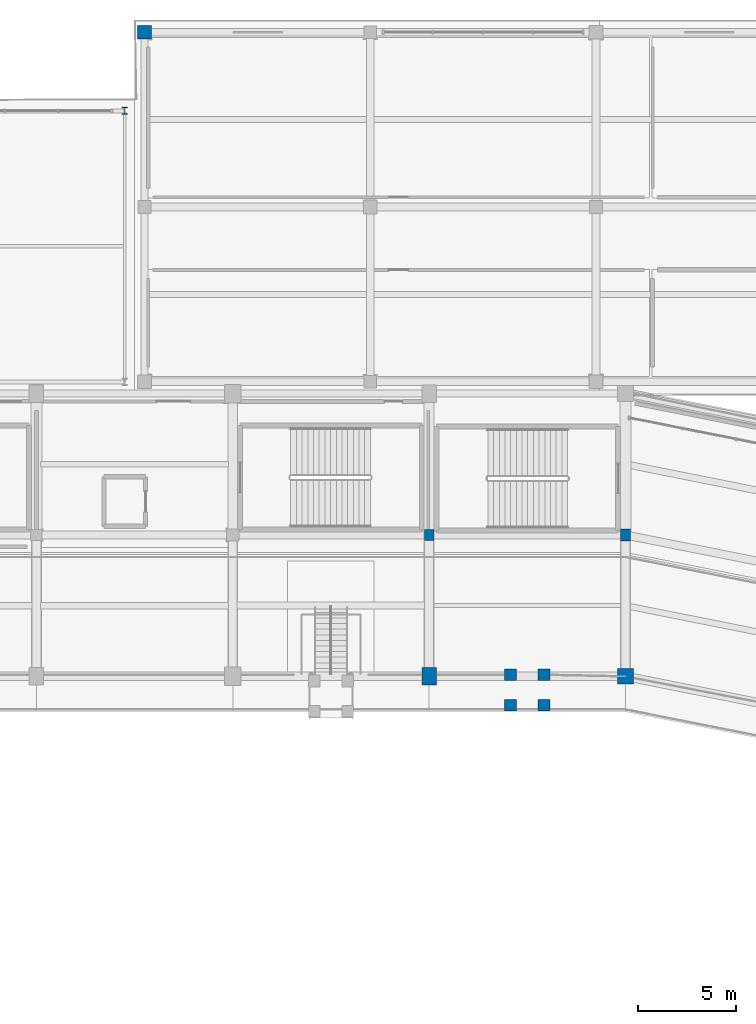
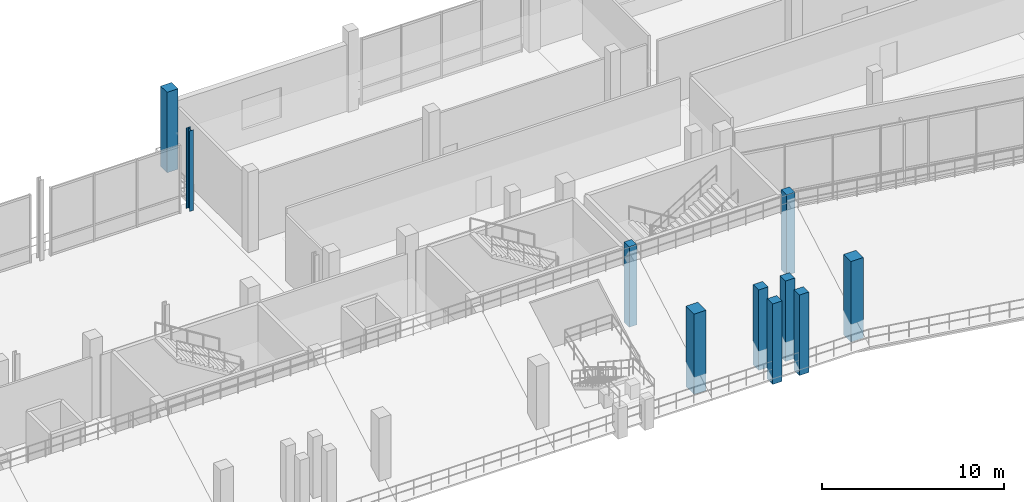
# One storey, part 9 of 127: 10 columns.
"""IFC4 building model written with IfcOpenShell, lengths in metres."""

import ifcopenshell
import ifcopenshell.guid

model = None  # the IFC model being written
_history = None  # IfcOwnerHistory: only IFC2X3 demands one
_inside = {}  # id of a spatial element -> (the spatial element, [elements in it])
_under = {}  # id of a project, library or spatial element -> (it, [spatial elements below it])
_declared = {}  # id of a project -> (the project, [libraries it declares])
_typed = {}  # id of a type object -> (the type object, [elements of that type])
_made_of = {}  # id of a material, layer set ... -> (it, [elements and type objects made of it])


def new_model(schema):
    """Start an empty IFC model of exactly this schema.

    Asked for "IFC4X3", IfcOpenShell would pick the latest addendum, in which some entities
    have other attributes; the version numbers below select the first issue.
    IFC2X3 requires an IfcOwnerHistory on every rooted entity: one is made here for all.
    """
    global model, _history
    if schema == "IFC4X3":
        model = ifcopenshell.file(schema_version=(4, 3, 0, 0))
    else:
        model = ifcopenshell.file(schema=schema)
    _inside.clear()
    _under.clear()
    _declared.clear()
    _typed.clear()
    _made_of.clear()
    _history = None
    if model.schema == "IFC2X3":
        org = make("IfcOrganization", Name="unknown")
        user = make(
            "IfcPersonAndOrganization",
            ThePerson=make("IfcPerson", FamilyName="unknown"),
            TheOrganization=org,
        )
        app = make(
            "IfcApplication",
            ApplicationDeveloper=org,
            Version="unknown",
            ApplicationFullName="unknown",
            ApplicationIdentifier="unknown",
        )
        _history = make(
            "IfcOwnerHistory",
            OwningUser=user,
            OwningApplication=app,
            ChangeAction="ADDED",
            CreationDate=0,
        )
    return model


def make(cls, **values):
    """One entity of the class cls with the attributes given. An attribute that is None is left unset."""
    return model.create_entity(
        cls, **{name: value for name, value in values.items() if value is not None}
    )


def rooted(cls, **values):
    """An entity with a GlobalId (a new one), such as an element, a storey or a relation."""
    return make(cls, GlobalId=ifcopenshell.guid.new(), OwnerHistory=_history, **values)


def si_unit(unit_type, name, prefix=None):
    """IfcSIUnit, for example si_unit("LENGTHUNIT", "METRE", prefix="MILLI")."""
    return make("IfcSIUnit", UnitType=unit_type, Prefix=prefix, Name=name)


def assignment(units):
    """IfcUnitAssignment: the units of a project."""
    return None if units is None else make("IfcUnitAssignment", Units=units)


def point(xyz):
    """IfcCartesianPoint."""
    return None if xyz is None else make("IfcCartesianPoint", Coordinates=xyz)


def direction(xyz):
    """IfcDirection."""
    return None if xyz is None else make("IfcDirection", DirectionRatios=xyz)


def frame(location, z_axis=None, x_axis=None):
    """IfcAxis2Placement3D, a coordinate frame: its origin and axes. An axis left out is left unset."""
    return make(
        "IfcAxis2Placement3D",
        Location=point(location),
        Axis=direction(z_axis),
        RefDirection=direction(x_axis),
    )


def frame_2d(location, x_axis=None):
    """IfcAxis2Placement2D, a coordinate frame in the plane: its origin and x axis."""
    return make(
        "IfcAxis2Placement2D", Location=point(location), RefDirection=direction(x_axis)
    )


def origin():
    """The frame at (0, 0, 0) with its axes left unset."""
    return frame((0.0, 0.0, 0.0))


def origin_2d():
    """The frame at (0, 0) in the plane with its x axis left unset."""
    return frame_2d((0.0, 0.0))


def place(relative_to, where):
    """IfcLocalPlacement: puts the frame where relative to a parent placement (None: the world)."""
    return make(
        "IfcLocalPlacement", PlacementRelTo=relative_to, RelativePlacement=where
    )


def context(
    kind, dimensions, precision=None, world=None, true_north=None, identifier=None
):
    """IfcGeometricRepresentationContext, for example the 3D "Model" context."""
    return make(
        "IfcGeometricRepresentationContext",
        ContextIdentifier=identifier,
        ContextType=kind,
        CoordinateSpaceDimension=dimensions,
        Precision=precision,
        WorldCoordinateSystem=world,
        TrueNorth=true_north,
    )


def subcontext(parent, identifier, kind, view, scale=None):
    """IfcGeometricRepresentationSubContext, for example "Body" below "Model"."""
    return make(
        "IfcGeometricRepresentationSubContext",
        ContextIdentifier=identifier,
        ContextType=kind,
        ParentContext=parent,
        TargetScale=scale,
        TargetView=view,
    )


def project(units=None, contexts=None):
    """IfcProject with its units and contexts."""
    return rooted(
        "IfcProject",
        Name="project",
        RepresentationContexts=contexts,
        UnitsInContext=assignment(units),
    )


def spatial(cls, under=None, at=None, **own):
    """A site, building, storey or space (cls), placed at a placement, below another one or the project."""
    s = rooted(cls, ObjectPlacement=at, **own)
    if under is not None:
        _under.setdefault(under.id(), (under, []))[1].append(s)
    return s


def profile(cls, at=None, kind="AREA", **sizes):
    """A parametric profile (cls). Its sizes go by their IFC names, for example OverallWidth=200.0."""
    return make(cls, ProfileType=kind, Position=at, **sizes)


def rectangle(**sizes):
    """IfcRectangleProfileDef."""
    return profile("IfcRectangleProfileDef", **sizes)


def i_section(**sizes):
    """IfcIShapeProfileDef."""
    return profile("IfcIShapeProfileDef", **sizes)


def extrude(swept, where, along, depth):
    """IfcExtrudedAreaSolid: the profile swept, set in the frame where, extruded along a direction by depth."""
    return make(
        "IfcExtrudedAreaSolid",
        SweptArea=swept,
        Position=where,
        ExtrudedDirection=direction(along),
        Depth=depth,
    )


def shape(context_of_items, identifier, shape_type, items):
    """IfcShapeRepresentation: the items that make up one representation, for example the "Body"."""
    return make(
        "IfcShapeRepresentation",
        ContextOfItems=context_of_items,
        RepresentationIdentifier=identifier,
        RepresentationType=shape_type,
        Items=items,
    )


def material(Name=None, Category=None):
    """IfcMaterial."""
    return make("IfcMaterial", Name=Name, Category=Category)


def material_profile(
    of_material, cross_section, Name=None, Category=None, Priority=None
):
    """IfcMaterialProfile: a cross section and its material."""
    return make(
        "IfcMaterialProfile",
        Name=Name,
        Material=of_material,
        Profile=cross_section,
        Priority=Priority,
        Category=Category,
    )


def profile_set(profiles, Name=None, composite=None):
    """IfcMaterialProfileSet."""
    return make(
        "IfcMaterialProfileSet",
        Name=Name,
        MaterialProfiles=profiles,
        CompositeProfile=composite,
    )


def made_of(thing, what):
    """Note that an element or type object is made of a material, layer set ...; save() writes the relation."""
    if what is not None:
        _made_of.setdefault(what.id(), (what, []))[1].append(thing)
    return thing


def type_object(cls, material=None, **own):
    """A type object (cls), such as IfcWallType, which elements share."""
    return made_of(rooted(cls, **own), material)


def element(
    cls,
    number,
    at=None,
    inside=None,
    cuts=None,
    type_object=None,
    material=None,
    context=None,
    identifier="Body",
    shape_type=None,
    held_by="IfcProductDefinitionShape",
    body=None,
    shapes=None,
    **own,
):
    """One element of the class cls, such as IfcWall. Its Tag is "e" and its number.

    at: its placement. inside: the storey or other place that contains it. cuts: it is an
    opening in that element (IfcRelVoidsElement). A single representation is given by context,
    identifier, shape_type and body (its items); several are given by shapes. held_by: the class
    of the entity that holds the representations. save() writes the other relations.
    """
    e = rooted(cls, Tag="e%d" % number, ObjectPlacement=at, **own)
    if body is not None:
        shapes = [shape(context, identifier, shape_type, body)]
    if shapes is not None:
        e.Representation = make(held_by, Representations=shapes)
    if inside is not None:
        _inside.setdefault(inside.id(), (inside, []))[1].append(e)
    if cuts is not None:
        rooted(
            "IfcRelVoidsElement", RelatingBuildingElement=cuts, RelatedOpeningElement=e
        )
    if type_object is not None:
        _typed.setdefault(type_object.id(), (type_object, []))[1].append(e)
    return made_of(e, material)


def aggregate(whole, parts):
    """IfcRelAggregates: a whole, such as a stair, and the parts it consists of."""
    return rooted("IfcRelAggregates", RelatingObject=whole, RelatedObjects=parts)


def save(model, path):
    """Write the relations noted so far, then the file.

    IfcRelAggregates (storeys below a building ...), IfcRelContainedInSpatialStructure (elements
    in a storey), IfcRelDefinesByType, IfcRelAssociatesMaterial and IfcRelDeclares: one each for
    every whole, place, type object, material and project.
    """
    for whole, parts in _under.values():
        aggregate(whole, parts)
    for where, things in _inside.values():
        rooted(
            "IfcRelContainedInSpatialStructure",
            RelatedElements=things,
            RelatingStructure=where,
        )
    for kind, things in _typed.values():
        rooted("IfcRelDefinesByType", RelatedObjects=things, RelatingType=kind)
    for what, things in _made_of.values():
        rooted("IfcRelAssociatesMaterial", RelatedObjects=things, RelatingMaterial=what)
    for by, libraries in _declared.values():
        rooted("IfcRelDeclares", RelatingContext=by, RelatedDefinitions=libraries)
    model.write(path)


model = new_model("IFC4")

# Units and contexts
model_context = context("Model", 3, precision=1e-05, world=origin(), true_north=direction((0.0, 1.0)))
body_context = subcontext(model_context, "Body", "Model", "MODEL_VIEW")
ifc_project = project(units=[si_unit("LENGTHUNIT", "METRE"), si_unit("AREAUNIT", "SQUARE_METRE"), si_unit("VOLUMEUNIT", "CUBIC_METRE"), si_unit("PLANEANGLEUNIT", "RADIAN"), si_unit("MASSUNIT", "GRAM", prefix="KILO")], contexts=[model_context])

# Site, building, storey
site_placement = place(None, origin())
site = spatial("IfcSite", under=ifc_project, at=site_placement, CompositionType="ELEMENT")
building_placement = place(site_placement, origin())
building = spatial("IfcBuilding", under=site, at=building_placement, Name="Candeia Ridge Stadium", CompositionType="ELEMENT")
storey_placement = place(building_placement, frame((0.0, 0.0, 10.800048828125)))
storey = spatial("IfcBuildingStorey", under=building, at=storey_placement, Name="L02", CompositionType="ELEMENT", Elevation=10.800048828125)

# Columns
ifc_material_1 = material(Name="Concrete C45/55", Category="concrete")
ifc_material_profile_1 = material_profile(ifc_material_1, rectangle(XDim=0.800048828125, YDim=0.800048828125, at=origin_2d()), Name="RC800x800", Category="concrete")
ifc_profile_set_1 = profile_set([ifc_material_profile_1], Name="Concrete C45/55")
column_type_1 = type_object("IfcColumnType", Name="Bowl Column RC800x800", PredefinedType="COLUMN", material=ifc_profile_set_1)
column_1_placement = place(storey_placement, frame((141.0, 132.60009765625, 0.0), z_axis=(0.0, 0.0, 1.0), x_axis=(1.0, 0.0, 0.0)))
element("IfcColumn", 1, at=column_1_placement, inside=storey, type_object=column_type_1, Name="Structural column BC-MD-00 L02", PredefinedType="COLUMN", context=body_context, shape_type="SweptSolid", body=[
    extrude(rectangle(XDim=0.800048828125, YDim=0.800048828125, at=origin_2d()), origin(), (0.0, 0.0, 1.0), 5.39990234375),
])
ifc_material_2 = material(Name="Steel ASTM A572 Grade 50", Category="steel")
ifc_material_profile_2 = material_profile(ifc_material_2, i_section(OverallWidth=0.257080078125, OverallDepth=0.363037109375, WebThickness=0.012939453125, FlangeThickness=0.021728515625, FilletRadius=0.014892578125, at=origin_2d()), Name="W360x122", Category="steel")
ifc_profile_set_2 = profile_set([ifc_material_profile_2], Name="Steel ASTM A572 Grade 50")
column_type_2 = type_object("IfcColumnType", Name="Gate Steel Column W360x122", PredefinedType="COLUMN", material=ifc_profile_set_2)
column_2_placement = place(storey_placement, frame((115.5, 161.39990234375, 0.0), z_axis=(0.0, 0.0, 1.0), x_axis=(1.0, 0.0, 0.0)))
element("IfcColumn", 2, at=column_2_placement, inside=storey, type_object=column_type_2, Name="Structural column NG-02-01 L02", PredefinedType="COLUMN", context=body_context, shape_type="SweptSolid", body=[
    extrude(i_section(OverallWidth=0.257080078125, OverallDepth=0.363037109375, WebThickness=0.012939453125, FlangeThickness=0.021728515625, FilletRadius=0.014892578125, at=origin_2d()), origin(), (0.0, 0.0, 1.0), 5.39990234375),
])
ifc_material_3 = material(Name="Concrete C40/50", Category="concrete")
ifc_material_profile_3 = material_profile(ifc_material_3, rectangle(XDim=0.47998046875, YDim=0.56005859375, at=origin_2d()), Name="RC480x560", Category="concrete")
ifc_profile_set_3 = profile_set([ifc_material_profile_3], Name="Concrete C40/50")
column_type_3 = type_object("IfcColumnType", Name="Graduated Frame Column RC480x560", PredefinedType="COLUMN", material=ifc_profile_set_3)
column_3_placement = place(storey_placement, frame((131.0, 139.800048828125, 0.0), z_axis=(0.0, 0.0, 1.0), x_axis=(1.0, 0.0, 0.0)))
element("IfcColumn", 3, at=column_3_placement, inside=storey, type_object=column_type_3, Name="Structural column BC-M2-01 L02", PredefinedType="COLUMN", context=body_context, shape_type="SweptSolid", body=[
    extrude(rectangle(XDim=0.47998046875, YDim=0.56005859375, at=origin_2d()), origin(), (0.0, 0.0, 1.0), 5.39990234375),
])
ifc_material_profile_4 = material_profile(ifc_material_3, rectangle(XDim=0.52001953125, YDim=0.6201171875, at=origin_2d()), Name="RC520x620", Category="concrete")
ifc_profile_set_4 = profile_set([ifc_material_profile_4], Name="Concrete C40/50")
column_type_4 = type_object("IfcColumnType", Name="Graduated Frame Column RC520x620", PredefinedType="COLUMN", material=ifc_profile_set_4)
column_4_placement = place(storey_placement, frame((141.0, 139.800048828125, 0.0), z_axis=(0.0, 0.0, 1.0), x_axis=(1.0, 0.0, 0.0)))
element("IfcColumn", 4, at=column_4_placement, inside=storey, type_object=column_type_4, Name="Structural column BC-M2-00 L02", PredefinedType="COLUMN", context=body_context, shape_type="SweptSolid", body=[
    extrude(rectangle(XDim=0.52001953125, YDim=0.6201171875, at=origin_2d()), origin(), (0.0, 0.0, 1.0), 5.39990234375),
])
ifc_material_profile_5 = material_profile(ifc_material_1, rectangle(XDim=0.75, YDim=0.89990234375, at=origin_2d()), Name="RC750x900", Category="concrete")
ifc_profile_set_5 = profile_set([ifc_material_profile_5], Name="Concrete C45/55")
column_type_5 = type_object("IfcColumnType", Name="Reinforced Concrete Column RC750x900", PredefinedType="COLUMN", material=ifc_profile_set_5)
column_5_placement = place(storey_placement, frame((131.0, 132.60009765625, 0.0), z_axis=(0.0, 0.0, 1.0), x_axis=(1.0, 0.0, 0.0)))
element("IfcColumn", 5, at=column_5_placement, inside=storey, type_object=column_type_5, Name="Structural column BC-MD-01 L02", PredefinedType="COLUMN", context=body_context, shape_type="SweptSolid", body=[
    extrude(rectangle(XDim=0.75, YDim=0.89990234375, at=origin_2d()), origin(), (0.0, 0.0, 1.0), 5.39990234375),
])
ifc_material_profile_6 = material_profile(ifc_material_3, rectangle(XDim=0.60009765625, YDim=0.60009765625, at=origin_2d()), Name="RC600x600", Category="concrete")
ifc_profile_set_6 = profile_set([ifc_material_profile_6], Name="Concrete C40/50")
column_type_6 = type_object("IfcColumnType", Name="Wing Column RC600x600", PredefinedType="COLUMN", material=ifc_profile_set_6)
for number, where, z_axis, x_axis, name in (
    (6, (135.14990234375, 132.681884765625, 0.0), (0.0, 0.0, 1.0), (1.0, 0.0, 0.0), "Vomitory VS25 landing support column 1 L02"),
    (7, (135.14990234375, 131.132080078125, 0.0), (0.0, 0.0, 1.0), (1.0, 0.0, 0.0), "Vomitory VS25 landing support column 2 L02"),
    (8, (136.85009765625, 131.132080078125, 0.0), (0.0, 0.0, 1.0), (1.0, 0.0, 0.0), "Vomitory VS25 landing support column 3 L02"),
    (9, (136.85009765625, 132.681884765625, 0.0), (0.0, 0.0, 1.0), (1.0, 0.0, 0.0), "Vomitory VS25 landing support column 4 L02"),
):
    element("IfcColumn", number, at=place(storey_placement, frame(where, z_axis=z_axis, x_axis=x_axis)), inside=storey, type_object=column_type_6, Name=name, PredefinedType="COLUMN", context=body_context, shape_type="SweptSolid", body=[
        extrude(rectangle(XDim=0.60009765625, YDim=0.60009765625, at=origin_2d()), origin(), (0.0, 0.0, 1.0), 5.39990234375),
    ])
ifc_material_profile_7 = material_profile(ifc_material_3, rectangle(XDim=0.699951171875, YDim=0.699951171875, at=origin_2d()), Name="RC700x700", Category="concrete")
ifc_profile_set_7 = profile_set([ifc_material_profile_7], Name="Concrete C40/50")
column_type_7 = type_object("IfcColumnType", Name="Wing Column RC700x700", PredefinedType="COLUMN", material=ifc_profile_set_7)
column_6_placement = place(storey_placement, frame((116.5, 165.39990234375, 0.0), z_axis=(0.0, 0.0, 1.0), x_axis=(1.0, 0.0, 0.0)))
element("IfcColumn", 10, at=column_6_placement, inside=storey, type_object=column_type_7, Name="Structural column NWE-00-02 L02", PredefinedType="COLUMN", context=body_context, shape_type="SweptSolid", body=[
    extrude(rectangle(XDim=0.699951171875, YDim=0.699951171875, at=origin_2d()), origin(), (0.0, 0.0, 1.0), 5.39990234375),
])

save(model, "model.ifc")
